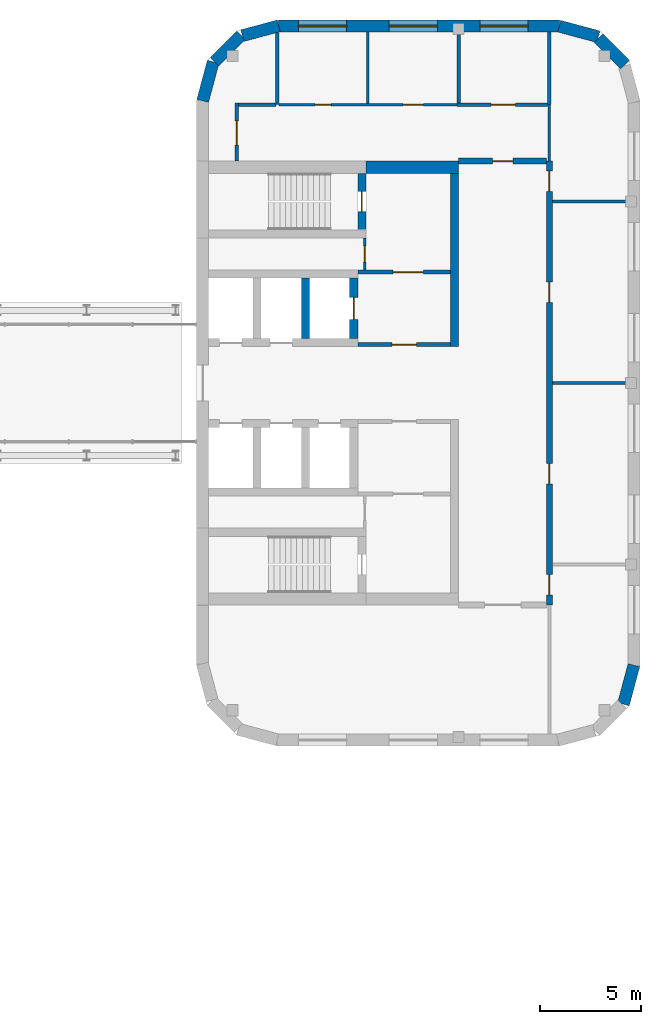
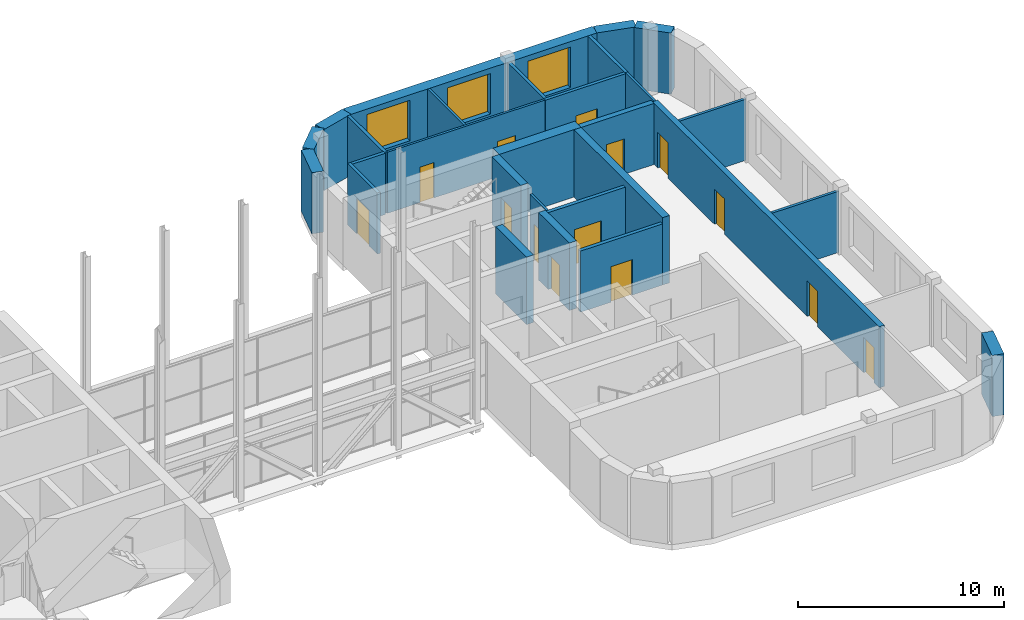
# One storey, part 9 of 11: 28 walls, 14 doors, 3 windows, 17 openings.
"""IFC4 building model written with IfcOpenShell, lengths in metres."""

from ifc_helpers import new_model, si_unit, direction, frame, frame_2d, origin, place, context, subcontext, project, spatial, rectangle, extrude, material, layer, layer_set, type_object, element, fill, save


model = new_model("IFC4")

# Units and contexts
model_context = context("Model", 3, precision=1e-05, world=origin(), true_north=direction((0.0, 1.0)))
body_context = subcontext(model_context, "Body", "Model", "MODEL_VIEW")
ifc_project = project(units=[si_unit("LENGTHUNIT", "METRE"), si_unit("AREAUNIT", "SQUARE_METRE"), si_unit("VOLUMEUNIT", "CUBIC_METRE"), si_unit("PLANEANGLEUNIT", "RADIAN"), si_unit("MASSUNIT", "GRAM", prefix="KILO")], contexts=[model_context])

# Site, building, storey
site_placement = place(None, origin())
site = spatial("IfcSite", under=ifc_project, at=site_placement, CompositionType="ELEMENT")
building_placement = place(site_placement, origin())
building = spatial("IfcBuilding", under=site, at=building_placement, Name="Skarvind Civic Tower", CompositionType="ELEMENT")
storey_placement = place(building_placement, frame((0.0, 0.0, 109.0)))
storey = spatial("IfcBuildingStorey", under=building, at=storey_placement, Name="L25", CompositionType="ELEMENT", Elevation=109.0)

# Wall, opening, door
ifc_material_1 = material(Name="Acoustic gypsum board on steel studs", Category="steel")
ifc_layer_1 = layer(ifc_material_1, 0.175048828125)
ifc_layer_set_1 = layer_set([ifc_layer_1], Name="ACOUSTIC MEETING-ROOM PARTITION 175")
wall_type_1 = type_object("IfcWallType", Name="ACOUSTIC MEETING-ROOM PARTITION 175", PredefinedType="PARTITIONING", material=ifc_layer_set_1)
wall_1_placement = place(storey_placement, frame((129.0, 139.0, 0.0), z_axis=(0.0, 0.0, 1.0), x_axis=(0.0, 1.0, 0.0)))
wall_1 = element("IfcWall", 1, at=wall_1_placement, inside=storey, type_object=wall_type_1, Name="Partition 25.001", PredefinedType="PARTITIONING", context=body_context, shape_type="SweptSolid", body=[
    extrude(rectangle(XDim=2.887939453125, YDim=0.175048828125, at=frame_2d((1.44384765625, 0.0))), origin(), (0.0, 0.0, 1.0), 3.625),
])
opening_1_placement = place(wall_1_placement, frame((0.800048828125, 0.0, 0.0)))
opening_1 = element("IfcOpeningElement", 2, at=opening_1_placement, cuts=wall_1, Name="Opening L25-D110", PredefinedType="OPENING", context=body_context, shape_type="SweptSolid", body=[
    extrude(rectangle(XDim=1.199951171875, YDim=2.10009765625, at=frame_2d((0.60009765625, 1.050048828125))), frame((0.0, 0.097412109375, 0.0), z_axis=(0.0, -1.0, 0.0), x_axis=(1.0, 0.0, 0.0)), (0.0, 0.0, 1.0), 0.195068359375),
])
ifc_material_2 = material(Name="Timber door leaf", Category="wood")
door_type_1 = type_object("IfcDoorType", Name="DOOR 1200X2100 DOUBLE TIMBER", OperationType="NOTDEFINED", PredefinedType="DOOR", material=ifc_material_2)
door_1_placement = place(opening_1_placement, origin())
door_1 = element("IfcDoor", 3, at=door_1_placement, inside=storey, type_object=door_type_1, Name="Door L25-D110", OperationType="DOUBLE_DOOR_SINGLE_SWING", OverallHeight=2.10009765625, OverallWidth=1.199951171875, PredefinedType="DOOR", context=body_context, shape_type="SweptSolid", body=[
    extrude(rectangle(XDim=1.199951171875, YDim=2.10009765625, at=frame_2d((0.60009765625, 1.050048828125))), frame((0.0, 0.02490234375, 0.0), z_axis=(0.0, -1.0, 0.0), x_axis=(1.0, 0.0, 0.0)), (0.0, 0.0, 1.0), 0.050048828125),
])
fill(opening_1, door_1)

# Walls
wall_2_placement = place(storey_placement, frame((129.087890625, 141.800048828125, 0.0), z_axis=(0.0, 0.0, 1.0), x_axis=(1.0, 0.0, 0.0)))
element("IfcWall", 4, at=wall_2_placement, inside=storey, type_object=wall_type_1, Name="Partition 25.002", PredefinedType="PARTITIONING", context=body_context, shape_type="SweptSolid", body=[
    extrude(rectangle(XDim=1.85302734375, YDim=0.175048828125, at=frame_2d((0.926513671875, 0.0))), origin(), (0.0, 0.0, 1.0), 3.625),
])
wall_3_placement = place(storey_placement, frame((131.0, 145.37890625, 0.0), z_axis=(0.0, 0.0, 1.0), x_axis=(0.0, -1.0, 0.0)))
element("IfcWall", 5, at=wall_3_placement, inside=storey, type_object=wall_type_1, Name="Partition 25.004", PredefinedType="PARTITIONING", context=body_context, shape_type="SweptSolid", body=[
    extrude(rectangle(XDim=3.578857421875, YDim=0.175048828125, at=frame_2d((1.78955078125, 0.0))), origin(), (0.0, 0.0, 1.0), 3.625),
])
wall_4_placement = place(storey_placement, frame((140.0, 141.887939453125, 0.0), z_axis=(0.0, 0.0, 1.0), x_axis=(0.0, 1.0, 0.0)))
element("IfcWall", 6, at=wall_4_placement, inside=storey, type_object=wall_type_1, Name="Partition 25.007", PredefinedType="PARTITIONING", context=body_context, shape_type="SweptSolid", body=[
    extrude(rectangle(XDim=3.511962890625, YDim=0.175048828125, at=frame_2d((1.755859375, 0.0))), origin(), (0.0, 0.0, 1.0), 3.625),
])

# Wall, opening, door
wall_5_placement = place(storey_placement, frame((139.912109375, 141.800048828125, 0.0), z_axis=(0.0, 0.0, 1.0), x_axis=(1.0, 0.0, 0.0)))
wall_5 = element("IfcWall", 7, at=wall_5_placement, inside=storey, type_object=wall_type_1, Name="Partition 25.008", PredefinedType="PARTITIONING", context=body_context, shape_type="SweptSolid", body=[
    extrude(rectangle(XDim=4.5, YDim=0.175048828125, at=frame_2d((2.25, 0.0))), origin(), (0.0, 0.0, 1.0), 3.625),
])
opening_2_placement = place(wall_5_placement, frame((1.7041015625, 0.0, 0.0)))
opening_2 = element("IfcOpeningElement", 8, at=opening_2_placement, cuts=wall_5, Name="Opening L25-D109", PredefinedType="OPENING", context=body_context, shape_type="SweptSolid", body=[
    extrude(rectangle(XDim=1.199951171875, YDim=2.10009765625, at=frame_2d((0.60009765625, 1.050048828125))), frame((0.0, 0.097412109375, 0.0), z_axis=(0.0, -1.0, 0.0), x_axis=(1.0, 0.0, 0.0)), (0.0, 0.0, 1.0), 0.195068359375),
])
door_2_placement = place(opening_2_placement, origin())
door_2 = element("IfcDoor", 9, at=door_2_placement, inside=storey, type_object=door_type_1, Name="Door L25-D109", OperationType="DOUBLE_DOOR_SINGLE_SWING", OverallHeight=2.10009765625, OverallWidth=1.199951171875, PredefinedType="DOOR", context=body_context, shape_type="SweptSolid", body=[
    extrude(rectangle(XDim=1.199951171875, YDim=2.10009765625, at=frame_2d((0.60009765625, 1.050048828125))), frame((0.0, 0.02490234375, 0.0), z_axis=(0.0, -1.0, 0.0), x_axis=(1.0, 0.0, 0.0)), (0.0, 0.0, 1.0), 0.050048828125),
])
fill(opening_2, door_2)

# Wall
wall_6_placement = place(storey_placement, frame((144.5, 141.800048828125, 0.0), z_axis=(0.0, 0.0, 1.0), x_axis=(0.0, 1.0, 0.0)))
element("IfcWall", 10, at=wall_6_placement, inside=storey, type_object=wall_type_1, Name="Partition 25.016", PredefinedType="PARTITIONING", context=body_context, shape_type="SweptSolid", body=[
    extrude(rectangle(XDim=3.599853515625, YDim=0.175048828125, at=frame_2d((1.7998046875, 0.0))), origin(), (0.0, 0.0, 1.0), 3.625),
])

# Wall, opening, door
ifc_material_3 = material(Name="Fire-rated gypsum board on steel studs", Category="steel")
ifc_layer_2 = layer(ifc_material_3, 0.300048828125)
ifc_layer_set_2 = layer_set([ifc_layer_2], Name="CORRIDOR WALL 300")
wall_type_2 = type_object("IfcWallType", Name="CORRIDOR WALL 300", PredefinedType="PARTITIONING", material=ifc_layer_set_2)
wall_7_placement = place(storey_placement, frame((144.35009765625, 139.0, 0.0), z_axis=(0.0, 0.0, 1.0), x_axis=(-1.0, 0.0, 0.0)))
wall_7 = element("IfcWall", 11, at=wall_7_placement, inside=storey, type_object=wall_type_2, Name="Partition 25.006", PredefinedType="PARTITIONING", context=body_context, shape_type="SweptSolid", body=[
    extrude(rectangle(XDim=4.35009765625, YDim=0.300048828125, at=frame_2d((2.175048828125, 0.0))), origin(), (0.0, 0.0, 1.0), 3.625),
])
opening_3_placement = place(wall_7_placement, frame((1.66650390625, 0.0, 0.0)))
opening_3 = element("IfcOpeningElement", 12, at=opening_3_placement, cuts=wall_7, Name="Opening L25-D106", PredefinedType="OPENING", context=body_context, shape_type="SweptSolid", body=[
    extrude(rectangle(XDim=1.0, YDim=2.10009765625, at=frame_2d((0.5, 1.050048828125))), frame((0.0, 0.159912109375, 0.0), z_axis=(0.0, -1.0, 0.0), x_axis=(1.0, 0.0, 0.0)), (0.0, 0.0, 1.0), 0.320068359375),
])
ifc_material_4 = material(Name="Fire-rated timber door leaf", Category="wood")
door_type_2 = type_object("IfcDoorType", Name="FD1 1000x2100", OperationType="NOTDEFINED", PredefinedType="DOOR", material=ifc_material_4)
door_3_placement = place(opening_3_placement, origin())
door_3 = element("IfcDoor", 13, at=door_3_placement, inside=storey, type_object=door_type_2, Name="Door L25-D106", OperationType="SINGLE_SWING_LEFT", OverallHeight=2.10009765625, OverallWidth=1.0, PredefinedType="DOOR", context=body_context, shape_type="SweptSolid", body=[
    extrude(rectangle(XDim=1.0, YDim=2.10009765625, at=frame_2d((0.5, 1.050048828125))), frame((0.0, 0.02490234375, 0.0), z_axis=(0.0, -1.0, 0.0), x_axis=(1.0, 0.0, 0.0)), (0.0, 0.0, 1.0), 0.050048828125),
])
fill(opening_3, door_3)

# Wall, openings, doors
wall_8_placement = place(storey_placement, frame((144.5, 139.0, 0.0), z_axis=(0.0, 0.0, 1.0), x_axis=(0.0, -1.0, 0.0)))
wall_8 = element("IfcWall", 14, at=wall_8_placement, inside=storey, type_object=wall_type_2, Name="Partition 25.014", PredefinedType="PARTITIONING", context=body_context, shape_type="SweptSolid", body=[
    extrude(rectangle(XDim=22.0, YDim=0.300048828125, at=frame_2d((11.0, 0.0))), origin(), (0.0, 0.0, 1.0), 3.625),
])
opening_4_placement = place(wall_8_placement, frame((20.50146484375, 0.0, 0.0)))
opening_4 = element("IfcOpeningElement", 15, at=opening_4_placement, cuts=wall_8, Name="Opening L25-D101", PredefinedType="OPENING", context=body_context, shape_type="SweptSolid", body=[
    extrude(rectangle(XDim=1.0, YDim=2.10009765625, at=frame_2d((0.5, 1.050048828125))), frame((0.0, 0.159912109375, 0.0), z_axis=(0.0, -1.0, 0.0), x_axis=(1.0, 0.0, 0.0)), (0.0, 0.0, 1.0), 0.320068359375),
])
opening_5_placement = place(wall_8_placement, frame((15.0, 0.0, 0.0)))
opening_5 = element("IfcOpeningElement", 16, at=opening_5_placement, cuts=wall_8, Name="Opening L25-D102", PredefinedType="OPENING", context=body_context, shape_type="SweptSolid", body=[
    extrude(rectangle(XDim=1.0, YDim=2.10009765625, at=frame_2d((0.5, 1.050048828125))), frame((0.0, 0.159912109375, 0.0), z_axis=(0.0, -1.0, 0.0), x_axis=(1.0, 0.0, 0.0)), (0.0, 0.0, 1.0), 0.320068359375),
])
opening_6_placement = place(wall_8_placement, frame((6.0, 0.0, 0.0)))
opening_6 = element("IfcOpeningElement", 17, at=opening_6_placement, cuts=wall_8, Name="Opening L25-D103", PredefinedType="OPENING", context=body_context, shape_type="SweptSolid", body=[
    extrude(rectangle(XDim=1.0, YDim=2.10009765625, at=frame_2d((0.5, 1.050048828125))), frame((0.0, 0.159912109375, 0.0), z_axis=(0.0, -1.0, 0.0), x_axis=(1.0, 0.0, 0.0)), (0.0, 0.0, 1.0), 0.320068359375),
])
opening_7_placement = place(wall_8_placement, frame((0.49853515625, 0.0, 0.0)))
opening_7 = element("IfcOpeningElement", 18, at=opening_7_placement, cuts=wall_8, Name="Opening L25-D104", PredefinedType="OPENING", context=body_context, shape_type="SweptSolid", body=[
    extrude(rectangle(XDim=1.0, YDim=2.10009765625, at=frame_2d((0.5, 1.050048828125))), frame((0.0, 0.159912109375, 0.0), z_axis=(0.0, -1.0, 0.0), x_axis=(1.0, 0.0, 0.0)), (0.0, 0.0, 1.0), 0.320068359375),
])
door_4_placement = place(opening_4_placement, origin())
door_4 = element("IfcDoor", 19, at=door_4_placement, inside=storey, type_object=door_type_2, Name="Door L25-D101", OperationType="SINGLE_SWING_LEFT", OverallHeight=2.10009765625, OverallWidth=1.0, PredefinedType="DOOR", context=body_context, shape_type="SweptSolid", body=[
    extrude(rectangle(XDim=1.0, YDim=2.10009765625, at=frame_2d((0.5, 1.050048828125))), frame((0.0, 0.02490234375, 0.0), z_axis=(0.0, -1.0, 0.0), x_axis=(1.0, 0.0, 0.0)), (0.0, 0.0, 1.0), 0.050048828125),
])
fill(opening_4, door_4)
door_5_placement = place(opening_5_placement, origin())
door_5 = element("IfcDoor", 20, at=door_5_placement, inside=storey, type_object=door_type_2, Name="Door L25-D102", OperationType="SINGLE_SWING_LEFT", OverallHeight=2.10009765625, OverallWidth=1.0, PredefinedType="DOOR", context=body_context, shape_type="SweptSolid", body=[
    extrude(rectangle(XDim=1.0, YDim=2.10009765625, at=frame_2d((0.5, 1.050048828125))), frame((0.0, 0.02490234375, 0.0), z_axis=(0.0, -1.0, 0.0), x_axis=(1.0, 0.0, 0.0)), (0.0, 0.0, 1.0), 0.050048828125),
])
fill(opening_5, door_5)
door_6_placement = place(opening_6_placement, origin())
door_6 = element("IfcDoor", 21, at=door_6_placement, inside=storey, type_object=door_type_2, Name="Door L25-D103", OperationType="SINGLE_SWING_LEFT", OverallHeight=2.10009765625, OverallWidth=1.0, PredefinedType="DOOR", context=body_context, shape_type="SweptSolid", body=[
    extrude(rectangle(XDim=1.0, YDim=2.10009765625, at=frame_2d((0.5, 1.050048828125))), frame((0.0, 0.02490234375, 0.0), z_axis=(0.0, -1.0, 0.0), x_axis=(1.0, 0.0, 0.0)), (0.0, 0.0, 1.0), 0.050048828125),
])
fill(opening_6, door_6)
door_7_placement = place(opening_7_placement, origin())
door_7 = element("IfcDoor", 22, at=door_7_placement, inside=storey, type_object=door_type_2, Name="Door L25-D104", OperationType="SINGLE_SWING_LEFT", OverallHeight=2.10009765625, OverallWidth=1.0, PredefinedType="DOOR", context=body_context, shape_type="SweptSolid", body=[
    extrude(rectangle(XDim=1.0, YDim=2.10009765625, at=frame_2d((0.5, 1.050048828125))), frame((0.0, 0.02490234375, 0.0), z_axis=(0.0, -1.0, 0.0), x_axis=(1.0, 0.0, 0.0)), (0.0, 0.0, 1.0), 0.050048828125),
])
fill(opening_7, door_7)

# Wall, opening, door
ifc_material_5 = material(Name="Fire-rated masonry partition", Category="masonry")
ifc_layer_3 = layer(ifc_material_5, 0.199951171875)
ifc_layer_set_3 = layer_set([ifc_layer_3], Name="Core enclosure wall 200")
wall_type_3 = type_object("IfcWallType", Name="Core enclosure wall 200", PredefinedType="PARTITIONING", material=ifc_layer_set_3)
wall_9_placement = place(storey_placement, frame((135.0, 129.89990234375, 0.0), z_axis=(0.0, 0.0, 1.0), x_axis=(1.0, 0.0, 0.0)))
wall_9 = element("IfcWall", 23, at=wall_9_placement, inside=storey, type_object=wall_type_3, Name="Core wall CA", PredefinedType="PARTITIONING", context=body_context, shape_type="SweptSolid", body=[
    extrude(rectangle(XDim=4.60009765625, YDim=0.199951171875, at=frame_2d((2.300048828125, 0.0))), origin(), (0.0, 0.0, 1.0), 3.625),
])
opening_8_placement = place(wall_9_placement, frame((1.699951171875, 0.0, 0.0)))
opening_8 = element("IfcOpeningElement", 24, at=opening_8_placement, cuts=wall_9, Name="Opening D-L25-CA-06", PredefinedType="OPENING", context=body_context, shape_type="SweptSolid", body=[
    extrude(rectangle(XDim=1.199951171875, YDim=2.10009765625, at=frame_2d((0.60009765625, 1.050048828125))), frame((0.0, 0.10986328125, 0.0), z_axis=(0.0, -1.0, 0.0), x_axis=(1.0, 0.0, 0.0)), (0.0, 0.0, 1.0), 0.219970703125),
])
ifc_material_6 = material(Name="Fire-rated steel door", Category="steel")
door_type_3 = type_object("IfcDoorType", Name="Core lobby door 1200", OperationType="NOTDEFINED", PredefinedType="DOOR", material=ifc_material_6)
door_8_placement = place(opening_8_placement, origin())
door_8 = element("IfcDoor", 25, at=door_8_placement, inside=storey, type_object=door_type_3, Name="Fire door", OperationType="DOUBLE_DOOR_SINGLE_SWING", OverallHeight=2.10009765625, OverallWidth=1.199951171875, PredefinedType="DOOR", context=body_context, shape_type="SweptSolid", body=[
    extrude(rectangle(XDim=1.199951171875, YDim=2.10009765625, at=frame_2d((0.60009765625, 1.050048828125))), frame((0.0, 0.02490234375, 0.0), z_axis=(0.0, -1.0, 0.0), x_axis=(1.0, 0.0, 0.0)), (0.0, 0.0, 1.0), 0.050048828125),
])
fill(opening_8, door_8)

wall_10_placement = place(storey_placement, frame((135.0, 133.5, 0.0), z_axis=(0.0, 0.0, 1.0), x_axis=(1.0, 0.0, 0.0)))
wall_10 = element("IfcWall", 26, at=wall_10_placement, inside=storey, type_object=wall_type_3, Name="Core wall CA", PredefinedType="PARTITIONING", context=body_context, shape_type="SweptSolid", body=[
    extrude(rectangle(XDim=4.60009765625, YDim=0.199951171875, at=frame_2d((2.300048828125, 0.0))), origin(), (0.0, 0.0, 1.0), 3.625),
])
opening_9_placement = place(wall_10_placement, frame((1.75, 0.0, 0.0)))
opening_9 = element("IfcOpeningElement", 27, at=opening_9_placement, cuts=wall_10, Name="Opening D-L25-CA-07", PredefinedType="OPENING", context=body_context, shape_type="SweptSolid", body=[
    extrude(rectangle(XDim=1.5, YDim=2.10009765625, at=frame_2d((0.75, 1.050048828125))), frame((0.0, 0.10986328125, 0.0), z_axis=(0.0, -1.0, 0.0), x_axis=(1.0, 0.0, 0.0)), (0.0, 0.0, 1.0), 0.219970703125),
])
door_type_4 = type_object("IfcDoorType", Name="Fire door 1500", OperationType="NOTDEFINED", PredefinedType="DOOR", material=ifc_material_6)
door_9_placement = place(opening_9_placement, origin())
door_9 = element("IfcDoor", 28, at=door_9_placement, inside=storey, type_object=door_type_4, Name="Fire door", OperationType="DOUBLE_DOOR_SINGLE_SWING", OverallHeight=2.10009765625, OverallWidth=1.5, PredefinedType="DOOR", context=body_context, shape_type="SweptSolid", body=[
    extrude(rectangle(XDim=1.5, YDim=2.10009765625, at=frame_2d((0.75, 1.050048828125))), frame((0.0, 0.02490234375, 0.0), z_axis=(0.0, -1.0, 0.0), x_axis=(1.0, 0.0, 0.0)), (0.0, 0.0, 1.0), 0.050048828125),
])
fill(opening_9, door_9)

ifc_material_7 = material(Name="Concrete C80", Category="concrete")
ifc_layer_4 = layer(ifc_material_7, 0.39990234375)
ifc_layer_set_4 = layer_set([ifc_layer_4], Name="Core wall 400 C80")
wall_type_4 = type_object("IfcWallType", Name="Core wall 400 C80", PredefinedType="SHEAR", material=ifc_layer_set_4)
wall_11_placement = place(storey_placement, frame((135.199951171875, 135.60009765625, 0.0), z_axis=(0.0, 0.0, 1.0), x_axis=(0.0, 1.0, 0.0)))
wall_11 = element("IfcWall", 29, at=wall_11_placement, inside=storey, type_object=wall_type_4, Name="Core wall CA north stair end L25", PredefinedType="SHEAR", context=body_context, shape_type="SweptSolid", body=[
    extrude(rectangle(XDim=2.7998046875, YDim=0.39990234375, at=frame_2d((1.39990234375, 0.0))), origin(), (0.0, 0.0, 1.0), 4.0),
])
opening_10_placement = place(wall_11_placement, frame((0.89990234375, 0.0, 0.0)))
opening_10 = element("IfcOpeningElement", 30, at=opening_10_placement, cuts=wall_11, Name="Opening D-L25-CA-08", PredefinedType="OPENING", context=body_context, shape_type="SweptSolid", body=[
    extrude(rectangle(XDim=1.0, YDim=2.10009765625, at=frame_2d((0.5, 1.050048828125))), frame((0.0, 0.2099609375, 0.0), z_axis=(0.0, -1.0, 0.0), x_axis=(1.0, 0.0, 0.0)), (0.0, 0.0, 1.0), 0.419921875),
])
door_type_5 = type_object("IfcDoorType", Name="Fire door 1000", OperationType="NOTDEFINED", PredefinedType="DOOR", material=ifc_material_6)
door_10_placement = place(opening_10_placement, origin())
door_10 = element("IfcDoor", 31, at=door_10_placement, inside=storey, type_object=door_type_5, Name="Fire door", OperationType="SINGLE_SWING_LEFT", OverallHeight=2.10009765625, OverallWidth=1.0, PredefinedType="DOOR", context=body_context, shape_type="SweptSolid", body=[
    extrude(rectangle(XDim=1.0, YDim=2.10009765625, at=frame_2d((0.5, 1.050048828125))), frame((0.0, 0.02490234375, 0.0), z_axis=(0.0, -1.0, 0.0), x_axis=(1.0, 0.0, 0.0)), (0.0, 0.0, 1.0), 0.050048828125),
])
fill(opening_10, door_10)

# Wall
wall_12_placement = place(storey_placement, frame((132.39990234375, 130.199951171875, 0.0), z_axis=(0.0, 0.0, 1.0), x_axis=(0.0, 1.0, 0.0)))
element("IfcWall", 32, at=wall_12_placement, inside=storey, type_object=wall_type_4, Name="Core wall CA north lift row division 2 L25", PredefinedType="SHEAR", context=body_context, shape_type="SweptSolid", body=[
    extrude(rectangle(XDim=3.0, YDim=0.39990234375, at=frame_2d((1.5, 0.0))), origin(), (0.0, 0.0, 1.0), 4.0),
])

# Wall, opening, door
wall_13_placement = place(storey_placement, frame((134.800048828125, 130.199951171875, 0.0), z_axis=(0.0, 0.0, 1.0), x_axis=(0.0, 1.0, 0.0)))
wall_13 = element("IfcWall", 33, at=wall_13_placement, inside=storey, type_object=wall_type_4, Name="Core wall CA north lift row division 3 L25", PredefinedType="SHEAR", context=body_context, shape_type="SweptSolid", body=[
    extrude(rectangle(XDim=3.0, YDim=0.39990234375, at=frame_2d((1.5, 0.0))), origin(), (0.0, 0.0, 1.0), 4.0),
])
opening_11_placement = place(wall_13_placement, frame((0.949951171875, 0.0, 0.0)))
opening_11 = element("IfcOpeningElement", 34, at=opening_11_placement, cuts=wall_13, Name="Opening LD27303", PredefinedType="OPENING", context=body_context, shape_type="SweptSolid", body=[
    extrude(rectangle(XDim=1.10009765625, YDim=2.10009765625, at=frame_2d((0.550048828125, 1.050048828125))), frame((0.0, 0.2099609375, 0.0), z_axis=(0.0, -1.0, 0.0), x_axis=(1.0, 0.0, 0.0)), (0.0, 0.0, 1.0), 0.419921875),
])
ifc_material_8 = material(Name="Stainless steel landing door", Category="steel")
door_type_6 = type_object("IfcDoorType", Name="Lift landing door 1100", OperationType="DOUBLE_DOOR_SLIDING", PredefinedType="DOOR", material=ifc_material_8)
door_11_placement = place(opening_11_placement, origin())
door_11 = element("IfcDoor", 35, at=door_11_placement, inside=storey, type_object=door_type_6, Name="Lift landing door", OperationType="DOUBLE_DOOR_SLIDING", OverallHeight=2.10009765625, OverallWidth=1.10009765625, PredefinedType="DOOR", context=body_context, shape_type="SweptSolid", body=[
    extrude(rectangle(XDim=1.10009765625, YDim=2.10009765625, at=frame_2d((0.550048828125, 1.050048828125))), frame((0.0, 0.02490234375, 0.0), z_axis=(0.0, -1.0, 0.0), x_axis=(1.0, 0.0, 0.0)), (0.0, 0.0, 1.0), 0.050048828125),
])
fill(opening_11, door_11)

# Walls
wall_14_placement = place(storey_placement, frame((139.800048828125, 129.800048828125, 0.0), z_axis=(0.0, 0.0, 1.0), x_axis=(0.0, 1.0, 0.0)))
element("IfcWall", 36, at=wall_14_placement, inside=storey, type_object=wall_type_4, Name="Core wall CA north inner face L25", PredefinedType="SHEAR", context=body_context, shape_type="SweptSolid", body=[
    extrude(rectangle(XDim=8.599853515625, YDim=0.39990234375, at=frame_2d((4.2998046875, 0.0))), origin(), (0.0, 0.0, 1.0), 4.0),
])
ifc_layer_5 = layer(ifc_material_7, 0.60009765625)
ifc_layer_set_5 = layer_set([ifc_layer_5], Name="Core wall 600 C80")
wall_type_5 = type_object("IfcWallType", Name="Core wall 600 C80", PredefinedType="SHEAR", material=ifc_layer_set_5)
wall_15_placement = place(storey_placement, frame((135.39990234375, 138.699951171875, 0.0), z_axis=(0.0, 0.0, 1.0), x_axis=(1.0, 0.0, 0.0)))
element("IfcWall", 37, at=wall_15_placement, inside=storey, type_object=wall_type_5, Name="Core wall CA north side L25", PredefinedType="SHEAR", context=body_context, shape_type="SweptSolid", body=[
    extrude(rectangle(XDim=4.60009765625, YDim=0.60009765625, at=frame_2d((2.300048828125, 0.0))), origin(), (0.0, 0.0, 1.0), 4.0),
])
ifc_material_9 = material(Name="Plasterboard partition on steel studs", Category="steel")
ifc_layer_6 = layer(ifc_material_9, 0.14990234375)
ifc_layer_set_6 = layer_set([ifc_layer_6], Name="PARTITION 150")
wall_type_6 = type_object("IfcWallType", Name="PARTITION 150", PredefinedType="PARTITIONING", material=ifc_layer_set_6)
for number, where, z_axis, x_axis, name in (
    (38, (144.64990234375, 128.0, 0.0), (0.0, 0.0, 1.0), (1.0, 0.0, 0.0), "Partition 25.012"),
    (39, (144.64990234375, 137.0, 0.0), (0.0, 0.0, 1.0), (1.0, 0.0, 0.0), "Partition 25.013"),
):
    element("IfcWall", number, at=place(storey_placement, frame(where, z_axis=z_axis, x_axis=x_axis)), inside=storey, type_object=wall_type_6, Name=name, PredefinedType="PARTITIONING", context=body_context, shape_type="SweptSolid", body=[
        extrude(rectangle(XDim=3.75, YDim=0.14990234375, at=frame_2d((1.875, 0.0))), origin(), (0.0, 0.0, 1.0), 3.625),
    ])

# Wall, opening, door
ifc_layer_7 = layer(ifc_material_5, 0.125)
ifc_layer_set_7 = layer_set([ifc_layer_7], Name="Riser wall 125")
wall_type_7 = type_object("IfcWallType", Name="Riser wall 125", PredefinedType="PARTITIONING", material=ifc_layer_set_7)
wall_16_placement = place(storey_placement, frame((135.33740234375, 135.199951171875, 0.0), z_axis=(0.0, 0.0, 1.0), x_axis=(0.0, -1.0, 0.0)))
wall_16 = element("IfcWall", 40, at=wall_16_placement, inside=storey, type_object=wall_type_7, Name="Core wall CA", PredefinedType="PARTITIONING", context=body_context, shape_type="SweptSolid", body=[
    extrude(rectangle(XDim=1.599853515625, YDim=0.125, at=frame_2d((0.7998046875, 0.0))), origin(), (0.0, 0.0, 1.0), 3.625),
])
opening_12_placement = place(wall_16_placement, frame((0.39990234375, 0.0, 0.0)))
opening_12 = element("IfcOpeningElement", 41, at=opening_12_placement, cuts=wall_16, Name="Opening D-L25-CA-09", PredefinedType="OPENING", context=body_context, shape_type="SweptSolid", body=[
    extrude(rectangle(XDim=0.800048828125, YDim=2.10009765625, at=frame_2d((0.39990234375, 1.050048828125))), frame((0.0, 0.072509765625, 0.0), z_axis=(0.0, -1.0, 0.0), x_axis=(1.0, 0.0, 0.0)), (0.0, 0.0, 1.0), 0.14501953125),
])
door_type_7 = type_object("IfcDoorType", Name="Core riser door 800", OperationType="NOTDEFINED", PredefinedType="DOOR", material=ifc_material_6)
door_12_placement = place(opening_12_placement, origin())
door_12 = element("IfcDoor", 42, at=door_12_placement, inside=storey, type_object=door_type_7, Name="Riser door", OperationType="SINGLE_SWING_RIGHT", OverallHeight=2.10009765625, OverallWidth=0.800048828125, PredefinedType="DOOR", context=body_context, shape_type="SweptSolid", body=[
    extrude(rectangle(XDim=0.800048828125, YDim=2.10009765625, at=frame_2d((0.39990234375, 1.050048828125))), frame((0.0, 0.02490234375, 0.0), z_axis=(0.0, -1.0, 0.0), x_axis=(1.0, 0.0, 0.0)), (0.0, 0.0, 1.0), 0.050048828125),
])
fill(opening_12, door_12)

# Wall, openings, doors
ifc_material_10 = material(Name="Moisture-resistant gypsum board on steel studs", Category="steel")
ifc_layer_8 = layer(ifc_material_10, 0.125)
ifc_layer_set_8 = layer_set([ifc_layer_8], Name="WC PARTITION 125")
wall_type_8 = type_object("IfcWallType", Name="WC PARTITION 125", PredefinedType="PARTITIONING", material=ifc_layer_set_8)
wall_17_placement = place(storey_placement, frame((131.0849609375, 141.800048828125, 0.0), z_axis=(0.0, 0.0, 1.0), x_axis=(1.0, 0.0, 0.0)))
wall_17 = element("IfcWall", 43, at=wall_17_placement, inside=storey, type_object=wall_type_8, Name="Partition 25.003", PredefinedType="PARTITIONING", context=body_context, shape_type="SweptSolid", body=[
    extrude(rectangle(XDim=8.91796875, YDim=0.125, at=frame_2d((4.458984375, 0.0))), origin(), (0.0, 0.0, 1.0), 3.625),
])
opening_13_placement = place(wall_17_placement, frame((6.1650390625, 0.0, 0.0)))
opening_13 = element("IfcOpeningElement", 44, at=opening_13_placement, cuts=wall_17, Name="Opening L25-D107", PredefinedType="OPENING", context=body_context, shape_type="SweptSolid", body=[
    extrude(rectangle(XDim=1.0, YDim=2.10009765625, at=frame_2d((0.5, 1.050048828125))), frame((0.0, 0.072509765625, 0.0), z_axis=(0.0, -1.0, 0.0), x_axis=(1.0, 0.0, 0.0)), (0.0, 0.0, 1.0), 0.14501953125),
])
opening_14_placement = place(wall_17_placement, frame((1.797607421875, 0.0, 0.0)))
opening_14 = element("IfcOpeningElement", 45, at=opening_14_placement, cuts=wall_17, Name="Opening L25-D108", PredefinedType="OPENING", context=body_context, shape_type="SweptSolid", body=[
    extrude(rectangle(XDim=0.800048828125, YDim=2.10009765625, at=frame_2d((0.39990234375, 1.050048828125))), frame((0.0, 0.072509765625, 0.0), z_axis=(0.0, -1.0, 0.0), x_axis=(1.0, 0.0, 0.0)), (0.0, 0.0, 1.0), 0.14501953125),
])
door_type_8 = type_object("IfcDoorType", Name="D1 1000x2100", OperationType="NOTDEFINED", PredefinedType="DOOR", material=ifc_material_2)
door_13_placement = place(opening_13_placement, origin())
door_13 = element("IfcDoor", 46, at=door_13_placement, inside=storey, type_object=door_type_8, Name="Door L25-D107", OperationType="SINGLE_SWING_RIGHT", OverallHeight=2.10009765625, OverallWidth=1.0, PredefinedType="DOOR", context=body_context, shape_type="SweptSolid", body=[
    extrude(rectangle(XDim=1.0, YDim=2.10009765625, at=frame_2d((0.5, 1.050048828125))), frame((0.0, 0.02490234375, 0.0), z_axis=(0.0, -1.0, 0.0), x_axis=(1.0, 0.0, 0.0)), (0.0, 0.0, 1.0), 0.050048828125),
])
fill(opening_13, door_13)
door_type_9 = type_object("IfcDoorType", Name="DOOR 800X2100 TIMBER", OperationType="NOTDEFINED", PredefinedType="DOOR", material=ifc_material_2)
door_14_placement = place(opening_14_placement, origin())
door_14 = element("IfcDoor", 47, at=door_14_placement, inside=storey, type_object=door_type_9, Name="Door L25-D108", OperationType="SINGLE_SWING_LEFT", OverallHeight=2.10009765625, OverallWidth=0.800048828125, PredefinedType="DOOR", context=body_context, shape_type="SweptSolid", body=[
    extrude(rectangle(XDim=0.800048828125, YDim=2.10009765625, at=frame_2d((0.39990234375, 1.050048828125))), frame((0.0, 0.02490234375, 0.0), z_axis=(0.0, -1.0, 0.0), x_axis=(1.0, 0.0, 0.0)), (0.0, 0.0, 1.0), 0.050048828125),
])
fill(opening_14, door_14)

# Walls
wall_18_placement = place(storey_placement, frame((135.5, 141.862060546875, 0.0), z_axis=(0.0, 0.0, 1.0), x_axis=(0.0, 1.0, 0.0)))
element("IfcWall", 48, at=wall_18_placement, inside=storey, type_object=wall_type_8, Name="Partition 25.005", PredefinedType="PARTITIONING", context=body_context, shape_type="SweptSolid", body=[
    extrude(rectangle(XDim=3.537841796875, YDim=0.125, at=frame_2d((1.76904296875, 0.0))), origin(), (0.0, 0.0, 1.0), 3.625),
])
wall_19_placement = place(storey_placement, frame((144.5, 141.800048828125, 0.0), z_axis=(0.0, 0.0, 1.0), x_axis=(0.0, -1.0, 0.0)))
element("IfcWall", 49, at=wall_19_placement, inside=storey, type_object=wall_type_8, Name="Partition 25.015", PredefinedType="PARTITIONING", context=body_context, shape_type="SweptSolid", body=[
    extrude(rectangle(XDim=2.800048828125, YDim=0.125, at=frame_2d((1.39990234375, 0.0))), origin(), (0.0, 0.0, 1.0), 3.625),
])

# Wall, openings, windows
ifc_material_11 = material(Name="Limestone masonry cladding on insulated backing", Category="masonry")
ifc_layer_9 = layer(ifc_material_11, 0.60009765625)
ifc_layer_set_9 = layer_set([ifc_layer_9], Name="WX1 STONE FACADE WALL 600")
wall_type_9 = type_object("IfcWallType", Name="WX1 STONE FACADE WALL 600", PredefinedType="SOLIDWALL", material=ifc_layer_set_9)
wall_20_placement = place(storey_placement, frame((131.070068359375, 145.699951171875, 0.0), z_axis=(0.0, 0.0, 1.0), x_axis=(1.0, 0.0, 0.0)))
wall_20 = element("IfcWall", 50, at=wall_20_placement, inside=storey, type_object=wall_type_9, Name="STONE FACADE WALL", PredefinedType="SOLIDWALL", context=body_context, shape_type="SweptSolid", body=[
    extrude(rectangle(XDim=13.929931640625, YDim=0.60009765625, at=frame_2d((6.96484375, 0.0))), origin(), (0.0, 0.0, 1.0), 3.625),
])
opening_15_placement = place(wall_20_placement, frame((0.97998046875, 0.0, 0.89990234375)))
opening_15 = element("IfcOpeningElement", 51, at=opening_15_placement, cuts=wall_20, Name="Opening WN9", PredefinedType="OPENING", context=body_context, shape_type="SweptSolid", body=[
    extrude(rectangle(XDim=2.39990234375, YDim=2.39990234375, at=frame_2d((1.199951171875, 1.199951171875))), frame((0.0, 0.31005859375, 0.0), z_axis=(0.0, -1.0, 0.0), x_axis=(1.0, 0.0, 0.0)), (0.0, 0.0, 1.0), 0.6201171875),
])
opening_16_placement = place(wall_20_placement, frame((5.47998046875, 0.0, 0.89990234375)))
opening_16 = element("IfcOpeningElement", 52, at=opening_16_placement, cuts=wall_20, Name="Opening WN9", PredefinedType="OPENING", context=body_context, shape_type="SweptSolid", body=[
    extrude(rectangle(XDim=2.39990234375, YDim=2.39990234375, at=frame_2d((1.199951171875, 1.199951171875))), frame((0.0, 0.31005859375, 0.0), z_axis=(0.0, -1.0, 0.0), x_axis=(1.0, 0.0, 0.0)), (0.0, 0.0, 1.0), 0.6201171875),
])
opening_17_placement = place(wall_20_placement, frame((9.97998046875, 0.0, 0.89990234375)))
opening_17 = element("IfcOpeningElement", 53, at=opening_17_placement, cuts=wall_20, Name="Opening WN9", PredefinedType="OPENING", context=body_context, shape_type="SweptSolid", body=[
    extrude(rectangle(XDim=2.39990234375, YDim=2.39990234375, at=frame_2d((1.199951171875, 1.199951171875))), frame((0.0, 0.31005859375, 0.0), z_axis=(0.0, -1.0, 0.0), x_axis=(1.0, 0.0, 0.0)), (0.0, 0.0, 1.0), 0.6201171875),
])
ifc_material_12 = material(Name="Timber frame, double glazing, timber-lined reveal", Category="wood")
window_type = type_object("IfcWindowType", Name="WN9 COMPANION TOWER WINDOW 2400 x 2400", PartitioningType="SINGLE_PANEL", PredefinedType="WINDOW", material=ifc_material_12)
window_1_placement = place(opening_15_placement, origin())
window_1 = element("IfcWindow", 54, at=window_1_placement, inside=storey, type_object=window_type, Name="WN9 WINDOW", OverallHeight=2.39990234375, OverallWidth=2.39990234375, PartitioningType="SINGLE_PANEL", PredefinedType="WINDOW", context=body_context, shape_type="SweptSolid", body=[
    extrude(rectangle(XDim=2.39990234375, YDim=2.39990234375, at=frame_2d((1.199951171875, 1.199951171875))), frame((0.0, 0.030029296875, 0.0), z_axis=(0.0, -1.0, 0.0), x_axis=(1.0, 0.0, 0.0)), (0.0, 0.0, 1.0), 0.06005859375),
])
fill(opening_15, window_1)
window_2_placement = place(opening_16_placement, origin())
window_2 = element("IfcWindow", 55, at=window_2_placement, inside=storey, type_object=window_type, Name="WN9 WINDOW", OverallHeight=2.39990234375, OverallWidth=2.39990234375, PartitioningType="SINGLE_PANEL", PredefinedType="WINDOW", context=body_context, shape_type="SweptSolid", body=[
    extrude(rectangle(XDim=2.39990234375, YDim=2.39990234375, at=frame_2d((1.199951171875, 1.199951171875))), frame((0.0, 0.030029296875, 0.0), z_axis=(0.0, -1.0, 0.0), x_axis=(1.0, 0.0, 0.0)), (0.0, 0.0, 1.0), 0.06005859375),
])
fill(opening_16, window_2)
window_3_placement = place(opening_17_placement, origin())
window_3 = element("IfcWindow", 56, at=window_3_placement, inside=storey, type_object=window_type, Name="WN9 WINDOW", OverallHeight=2.39990234375, OverallWidth=2.39990234375, PartitioningType="SINGLE_PANEL", PredefinedType="WINDOW", context=body_context, shape_type="SweptSolid", body=[
    extrude(rectangle(XDim=2.39990234375, YDim=2.39990234375, at=frame_2d((1.199951171875, 1.199951171875))), frame((0.0, 0.030029296875, 0.0), z_axis=(0.0, -1.0, 0.0), x_axis=(1.0, 0.0, 0.0)), (0.0, 0.0, 1.0), 0.06005859375),
])
fill(opening_17, window_3)

# Walls
for number, where, z_axis, x_axis, name in (
    (57, (129.280517578125, 145.228759765625, 0.0), (0.0, 0.0, 1.0), (0.965938094805, 0.258773254036, 0.0), "STONE FACADE WALL"),
    (58, (127.896484375, 143.936279296875, 0.0), (0.0, 0.0, 1.0), (0.707106781187, 0.707106781187, 0.0), "STONE FACADE WALL"),
):
    element("IfcWall", number, at=place(storey_placement, frame(where, z_axis=z_axis, x_axis=x_axis)), inside=storey, type_object=wall_type_9, Name=name, PredefinedType="SOLIDWALL", context=body_context, shape_type="SweptSolid", body=[
        extrude(rectangle(XDim=1.860595703125, YDim=0.60009765625, at=frame_2d((0.93017578125, 0.0))), origin(), (0.0, 0.0, 1.0), 3.625),
    ])
for number, where, z_axis, x_axis, name in (
    (59, (127.307861328125, 141.989990234375, 0.0), (0.0, 0.0, 1.0), (0.258839784042, 0.965920269068, 0.0), "STONE FACADE WALL"),
    (60, (148.692138671875, 114.010009765625, 0.0), (0.0, 0.0, 1.0), (-0.258839784042, -0.965920269068, 0.0), "STONE FACADE WALL"),
):
    element("IfcWall", number, at=place(storey_placement, frame(where, z_axis=z_axis, x_axis=x_axis)), inside=storey, type_object=wall_type_9, Name=name, PredefinedType="SOLIDWALL", context=body_context, shape_type="SweptSolid", body=[
        extrude(rectangle(XDim=2.00048828125, YDim=0.60009765625, at=frame_2d((1.000244140625, 0.0))), origin(), (0.0, 0.0, 1.0), 3.625),
    ])
wall_21_placement = place(storey_placement, frame((146.936279296875, 145.103515625, 0.0), z_axis=(0.0, 0.0, 1.0), x_axis=(0.707106781187, -0.707106781187, 0.0)))
element("IfcWall", 61, at=wall_21_placement, inside=storey, type_object=wall_type_9, Name="STONE FACADE WALL", PredefinedType="SOLIDWALL", context=body_context, shape_type="SweptSolid", body=[
    extrude(rectangle(XDim=1.860595703125, YDim=0.60009765625, at=frame_2d((0.93017578125, 0.0))), origin(), (0.0, 0.0, 1.0), 3.625),
])
wall_22_placement = place(storey_placement, frame((144.989990234375, 145.692138671875, 0.0), z_axis=(0.0, 0.0, 1.0), x_axis=(0.965920269068, -0.258839784042, 0.0)))
element("IfcWall", 62, at=wall_22_placement, inside=storey, type_object=wall_type_9, Name="STONE FACADE WALL", PredefinedType="SOLIDWALL", context=body_context, shape_type="SweptSolid", body=[
    extrude(rectangle(XDim=2.00048828125, YDim=0.60009765625, at=frame_2d((1.000244140625, 0.0))), origin(), (0.0, 0.0, 1.0), 3.625),
])

save(model, "model.ifc")
